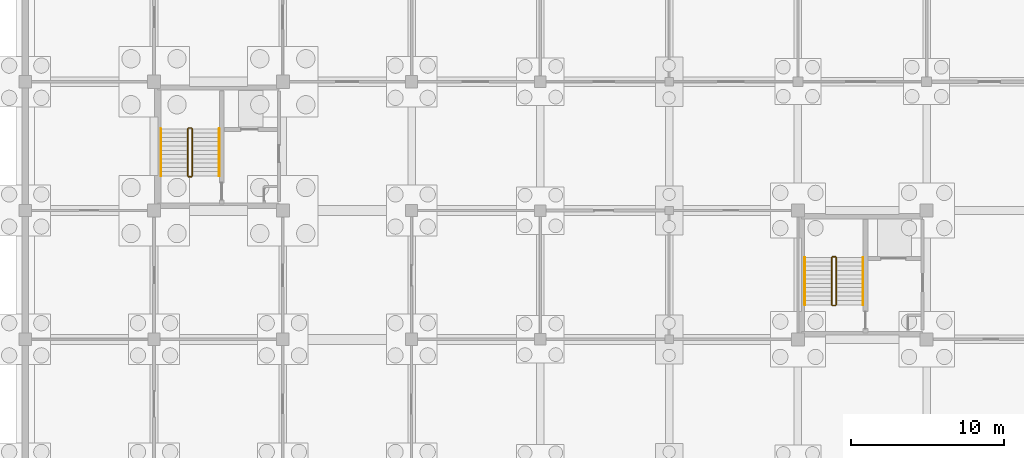
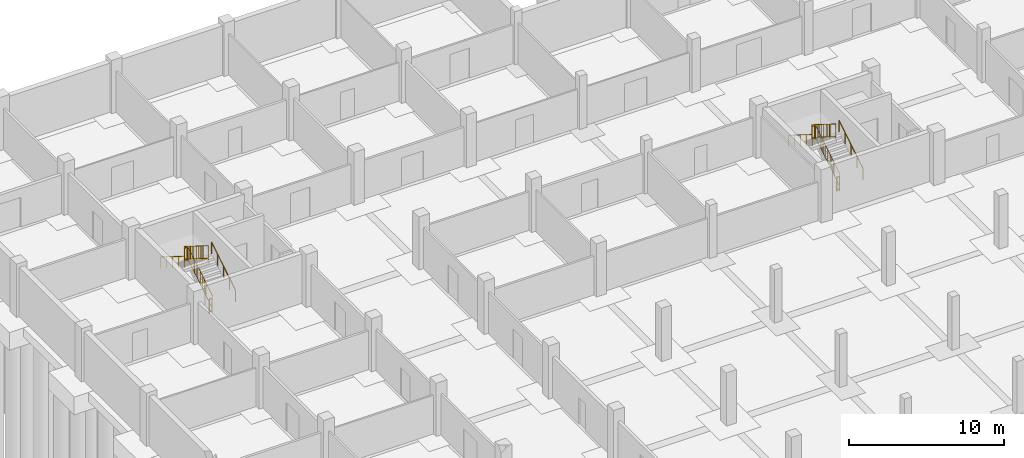
# One storey, part 40 of 43: 12 railings.
"""IFC4 building model written with IfcOpenShell, lengths in metres."""

import ifcopenshell
import ifcopenshell.guid

model = None  # the IFC model being written
_history = None  # IfcOwnerHistory: only IFC2X3 demands one
_inside = {}  # id of a spatial element -> (the spatial element, [elements in it])
_under = {}  # id of a project, library or spatial element -> (it, [spatial elements below it])
_declared = {}  # id of a project -> (the project, [libraries it declares])
_typed = {}  # id of a type object -> (the type object, [elements of that type])
_made_of = {}  # id of a material, layer set ... -> (it, [elements and type objects made of it])


def new_model(schema):
    """Start an empty IFC model of exactly this schema.

    Asked for "IFC4X3", IfcOpenShell would pick the latest addendum, in which some entities
    have other attributes; the version numbers below select the first issue.
    IFC2X3 requires an IfcOwnerHistory on every rooted entity: one is made here for all.
    """
    global model, _history
    if schema == "IFC4X3":
        model = ifcopenshell.file(schema_version=(4, 3, 0, 0))
    else:
        model = ifcopenshell.file(schema=schema)
    _inside.clear()
    _under.clear()
    _declared.clear()
    _typed.clear()
    _made_of.clear()
    _history = None
    if model.schema == "IFC2X3":
        org = make("IfcOrganization", Name="unknown")
        user = make(
            "IfcPersonAndOrganization",
            ThePerson=make("IfcPerson", FamilyName="unknown"),
            TheOrganization=org,
        )
        app = make(
            "IfcApplication",
            ApplicationDeveloper=org,
            Version="unknown",
            ApplicationFullName="unknown",
            ApplicationIdentifier="unknown",
        )
        _history = make(
            "IfcOwnerHistory",
            OwningUser=user,
            OwningApplication=app,
            ChangeAction="ADDED",
            CreationDate=0,
        )
    return model


def make(cls, **values):
    """One entity of the class cls with the attributes given. An attribute that is None is left unset."""
    return model.create_entity(
        cls, **{name: value for name, value in values.items() if value is not None}
    )


def rooted(cls, **values):
    """An entity with a GlobalId (a new one), such as an element, a storey or a relation."""
    return make(cls, GlobalId=ifcopenshell.guid.new(), OwnerHistory=_history, **values)


def si_unit(unit_type, name, prefix=None):
    """IfcSIUnit, for example si_unit("LENGTHUNIT", "METRE", prefix="MILLI")."""
    return make("IfcSIUnit", UnitType=unit_type, Prefix=prefix, Name=name)


def assignment(units):
    """IfcUnitAssignment: the units of a project."""
    return None if units is None else make("IfcUnitAssignment", Units=units)


def point(xyz):
    """IfcCartesianPoint."""
    return None if xyz is None else make("IfcCartesianPoint", Coordinates=xyz)


def direction(xyz):
    """IfcDirection."""
    return None if xyz is None else make("IfcDirection", DirectionRatios=xyz)


def frame(location, z_axis=None, x_axis=None):
    """IfcAxis2Placement3D, a coordinate frame: its origin and axes. An axis left out is left unset."""
    return make(
        "IfcAxis2Placement3D",
        Location=point(location),
        Axis=direction(z_axis),
        RefDirection=direction(x_axis),
    )


def frame_2d(location, x_axis=None):
    """IfcAxis2Placement2D, a coordinate frame in the plane: its origin and x axis."""
    return make(
        "IfcAxis2Placement2D", Location=point(location), RefDirection=direction(x_axis)
    )


def origin():
    """The frame at (0, 0, 0) with its axes left unset."""
    return frame((0.0, 0.0, 0.0))


def origin_2d():
    """The frame at (0, 0) in the plane with its x axis left unset."""
    return frame_2d((0.0, 0.0))


def place(relative_to, where):
    """IfcLocalPlacement: puts the frame where relative to a parent placement (None: the world)."""
    return make(
        "IfcLocalPlacement", PlacementRelTo=relative_to, RelativePlacement=where
    )


def context(
    kind, dimensions, precision=None, world=None, true_north=None, identifier=None
):
    """IfcGeometricRepresentationContext, for example the 3D "Model" context."""
    return make(
        "IfcGeometricRepresentationContext",
        ContextIdentifier=identifier,
        ContextType=kind,
        CoordinateSpaceDimension=dimensions,
        Precision=precision,
        WorldCoordinateSystem=world,
        TrueNorth=true_north,
    )


def subcontext(parent, identifier, kind, view, scale=None):
    """IfcGeometricRepresentationSubContext, for example "Body" below "Model"."""
    return make(
        "IfcGeometricRepresentationSubContext",
        ContextIdentifier=identifier,
        ContextType=kind,
        ParentContext=parent,
        TargetScale=scale,
        TargetView=view,
    )


def project(units=None, contexts=None):
    """IfcProject with its units and contexts."""
    return rooted(
        "IfcProject",
        Name="project",
        RepresentationContexts=contexts,
        UnitsInContext=assignment(units),
    )


def spatial(cls, under=None, at=None, **own):
    """A site, building, storey or space (cls), placed at a placement, below another one or the project."""
    s = rooted(cls, ObjectPlacement=at, **own)
    if under is not None:
        _under.setdefault(under.id(), (under, []))[1].append(s)
    return s


def profile(cls, at=None, kind="AREA", **sizes):
    """A parametric profile (cls). Its sizes go by their IFC names, for example OverallWidth=200.0."""
    return make(cls, ProfileType=kind, Position=at, **sizes)


def circle(**sizes):
    """IfcCircleProfileDef."""
    return profile("IfcCircleProfileDef", **sizes)


def extrude(swept, where, along, depth):
    """IfcExtrudedAreaSolid: the profile swept, set in the frame where, extruded along a direction by depth."""
    return make(
        "IfcExtrudedAreaSolid",
        SweptArea=swept,
        Position=where,
        ExtrudedDirection=direction(along),
        Depth=depth,
    )


def shape(context_of_items, identifier, shape_type, items):
    """IfcShapeRepresentation: the items that make up one representation, for example the "Body"."""
    return make(
        "IfcShapeRepresentation",
        ContextOfItems=context_of_items,
        RepresentationIdentifier=identifier,
        RepresentationType=shape_type,
        Items=items,
    )


def material(Name=None, Category=None):
    """IfcMaterial."""
    return make("IfcMaterial", Name=Name, Category=Category)


def made_of(thing, what):
    """Note that an element or type object is made of a material, layer set ...; save() writes the relation."""
    if what is not None:
        _made_of.setdefault(what.id(), (what, []))[1].append(thing)
    return thing


def type_object(cls, material=None, **own):
    """A type object (cls), such as IfcWallType, which elements share."""
    return made_of(rooted(cls, **own), material)


def element(
    cls,
    number,
    at=None,
    inside=None,
    cuts=None,
    type_object=None,
    material=None,
    context=None,
    identifier="Body",
    shape_type=None,
    held_by="IfcProductDefinitionShape",
    body=None,
    shapes=None,
    **own,
):
    """One element of the class cls, such as IfcWall. Its Tag is "e" and its number.

    at: its placement. inside: the storey or other place that contains it. cuts: it is an
    opening in that element (IfcRelVoidsElement). A single representation is given by context,
    identifier, shape_type and body (its items); several are given by shapes. held_by: the class
    of the entity that holds the representations. save() writes the other relations.
    """
    e = rooted(cls, Tag="e%d" % number, ObjectPlacement=at, **own)
    if body is not None:
        shapes = [shape(context, identifier, shape_type, body)]
    if shapes is not None:
        e.Representation = make(held_by, Representations=shapes)
    if inside is not None:
        _inside.setdefault(inside.id(), (inside, []))[1].append(e)
    if cuts is not None:
        rooted(
            "IfcRelVoidsElement", RelatingBuildingElement=cuts, RelatedOpeningElement=e
        )
    if type_object is not None:
        _typed.setdefault(type_object.id(), (type_object, []))[1].append(e)
    return made_of(e, material)


def aggregate(whole, parts):
    """IfcRelAggregates: a whole, such as a stair, and the parts it consists of."""
    return rooted("IfcRelAggregates", RelatingObject=whole, RelatedObjects=parts)


def save(model, path):
    """Write the relations noted so far, then the file.

    IfcRelAggregates (storeys below a building ...), IfcRelContainedInSpatialStructure (elements
    in a storey), IfcRelDefinesByType, IfcRelAssociatesMaterial and IfcRelDeclares: one each for
    every whole, place, type object, material and project.
    """
    for whole, parts in _under.values():
        aggregate(whole, parts)
    for where, things in _inside.values():
        rooted(
            "IfcRelContainedInSpatialStructure",
            RelatedElements=things,
            RelatingStructure=where,
        )
    for kind, things in _typed.values():
        rooted("IfcRelDefinesByType", RelatedObjects=things, RelatingType=kind)
    for what, things in _made_of.values():
        rooted("IfcRelAssociatesMaterial", RelatedObjects=things, RelatingMaterial=what)
    for by, libraries in _declared.values():
        rooted("IfcRelDeclares", RelatingContext=by, RelatedDefinitions=libraries)
    model.write(path)


model = new_model("IFC4")

# Units and contexts
model_context = context("Model", 3, precision=1e-05, world=origin(), true_north=direction((0.0, 1.0)))
body_context = subcontext(model_context, "Body", "Model", "MODEL_VIEW")
ifc_project = project(units=[si_unit("LENGTHUNIT", "METRE"), si_unit("AREAUNIT", "SQUARE_METRE"), si_unit("VOLUMEUNIT", "CUBIC_METRE"), si_unit("PLANEANGLEUNIT", "RADIAN"), si_unit("MASSUNIT", "GRAM", prefix="KILO")], contexts=[model_context])

# Site, building, storey
site_placement = place(None, origin())
site = spatial("IfcSite", under=ifc_project, at=site_placement, CompositionType="ELEMENT")
building_placement = place(site_placement, origin())
building = spatial("IfcBuilding", under=site, at=building_placement, Name="Varnapada Polytechnic", CompositionType="ELEMENT")
storey_placement = place(building_placement, frame((0.0, 0.0, -4.199951171875)))
storey = spatial("IfcBuildingStorey", under=building, at=storey_placement, Name="B1", CompositionType="ELEMENT", Elevation=-4.199951171875)

# Railings
ifc_material = material(Name="Brushed Stainless Steel 316", Category="steel")
railing_type_1 = type_object("IfcRailingType", Name="Stair Wall Handrail SHR-01", PredefinedType="HANDRAIL", material=ifc_material)
railing_1_placement = place(storey_placement, frame((12.64990234375, 103.050048828125, 0.175048828125)))
element("IfcRailing", 1, at=railing_1_placement, inside=storey, type_object=railing_type_1, Name="B1 ST-1 stair handrail 1", PredefinedType="HANDRAIL", context=body_context, shape_type="SweptSolid", body=[
    extrude(circle(Radius=0.02392578125, at=origin_2d()), frame((0.0, 0.0, 0.8759765625), z_axis=(0.0, 0.848009633417, 0.529980812513), x_axis=(-1.0, 0.0, 0.0)), (0.0, 0.0, 1.0), 3.6318359375),
    extrude(circle(Radius=0.02099609375, at=origin_2d()), origin(), (0.0, 0.0, 1.0), 0.851806640625),
    extrude(circle(Radius=0.02099609375, at=origin_2d()), frame((0.0, 0.77001953125, 0.481201171875)), (0.0, 0.0, 1.0), 0.851806640625),
    extrude(circle(Radius=0.02099609375, at=origin_2d()), frame((0.0, 1.5400390625, 0.96240234375)), (0.0, 0.0, 1.0), 0.851806640625),
    extrude(circle(Radius=0.02099609375, at=origin_2d()), frame((0.0, 2.309814453125, 1.443603515625)), (0.0, 0.0, 1.0), 0.851806640625),
    extrude(circle(Radius=0.02099609375, at=origin_2d()), frame((0.0, 3.079833984375, 1.9248046875)), (0.0, 0.0, 1.0), 0.851806640625),
])
railing_2_placement = place(storey_placement, frame((8.85009765625, 106.1298828125, 2.27490234375)))
element("IfcRailing", 2, at=railing_2_placement, inside=storey, type_object=railing_type_1, Name="B1 ST-1 stair handrail 2", PredefinedType="HANDRAIL", context=body_context, shape_type="SweptSolid", body=[
    extrude(circle(Radius=0.02392578125, at=origin_2d()), frame((0.0, 0.0, 0.8759765625), z_axis=(0.0, -0.847979421464, 0.530029150871), x_axis=(1.0, 0.0, 0.0)), (0.0, 0.0, 1.0), 3.632080078125),
    extrude(circle(Radius=0.02099609375, at=origin_2d()), origin(), (0.0, 0.0, 1.0), 0.851806640625),
    extrude(circle(Radius=0.02099609375, at=origin_2d()), frame((0.0, -0.77001953125, 0.481201171875)), (0.0, 0.0, 1.0), 0.851806640625),
    extrude(circle(Radius=0.02099609375, at=origin_2d()), frame((0.0, -1.5400390625, 0.96240234375)), (0.0, 0.0, 1.0), 0.851806640625),
    extrude(circle(Radius=0.02099609375, at=origin_2d()), frame((0.0, -2.309814453125, 1.44384765625)), (0.0, 0.0, 1.0), 0.851806640625),
    extrude(circle(Radius=0.02099609375, at=origin_2d()), frame((0.0, -3.079833984375, 1.925048828125)), (0.0, 0.0, 1.0), 0.851806640625),
])
railing_3_placement = place(storey_placement, frame((54.64990234375, 94.64990234375, 0.175048828125)))
element("IfcRailing", 3, at=railing_3_placement, inside=storey, type_object=railing_type_1, Name="B1 ST-4 stair handrail 1", PredefinedType="HANDRAIL", context=body_context, shape_type="SweptSolid", body=[
    extrude(circle(Radius=0.02392578125, at=origin_2d()), frame((0.0, 0.0, 0.8759765625), z_axis=(0.0, 0.848028513186, 0.529950602248), x_axis=(-1.0, 0.0, 0.0)), (0.0, 0.0, 1.0), 3.632080078125),
    extrude(circle(Radius=0.02099609375, at=origin_2d()), origin(), (0.0, 0.0, 1.0), 0.851806640625),
    extrude(circle(Radius=0.02099609375, at=origin_2d()), frame((0.0, 0.77001953125, 0.481201171875)), (0.0, 0.0, 1.0), 0.851806640625),
    extrude(circle(Radius=0.02099609375, at=origin_2d()), frame((0.0, 1.5400390625, 0.96240234375)), (0.0, 0.0, 1.0), 0.851806640625),
    extrude(circle(Radius=0.02099609375, at=origin_2d()), frame((0.0, 2.31005859375, 1.443603515625)), (0.0, 0.0, 1.0), 0.851806640625),
    extrude(circle(Radius=0.02099609375, at=origin_2d()), frame((0.0, 3.080078125, 1.9248046875)), (0.0, 0.0, 1.0), 0.851806640625),
])
railing_4_placement = place(storey_placement, frame((50.85009765625, 97.72998046875, 2.27490234375)))
element("IfcRailing", 4, at=railing_4_placement, inside=storey, type_object=railing_type_1, Name="B1 ST-4 stair handrail 2", PredefinedType="HANDRAIL", context=body_context, shape_type="SweptSolid", body=[
    extrude(circle(Radius=0.02392578125, at=origin_2d()), frame((0.0, 0.0, 0.8759765625), z_axis=(0.0, -0.847998304005, 0.529998940003), x_axis=(1.0, 0.0, 0.0)), (0.0, 0.0, 1.0), 3.632080078125),
    extrude(circle(Radius=0.02099609375, at=origin_2d()), origin(), (0.0, 0.0, 1.0), 0.851806640625),
    extrude(circle(Radius=0.02099609375, at=origin_2d()), frame((0.0, -0.77001953125, 0.481201171875)), (0.0, 0.0, 1.0), 0.851806640625),
    extrude(circle(Radius=0.02099609375, at=origin_2d()), frame((0.0, -1.5400390625, 0.96240234375)), (0.0, 0.0, 1.0), 0.851806640625),
    extrude(circle(Radius=0.02099609375, at=origin_2d()), frame((0.0, -2.31005859375, 1.44384765625)), (0.0, 0.0, 1.0), 0.851806640625),
    extrude(circle(Radius=0.02099609375, at=origin_2d()), frame((0.0, -3.080078125, 1.925048828125)), (0.0, 0.0, 1.0), 0.851806640625),
])
railing_type_2 = type_object("IfcRailingType", Name="Stair Well Guard Rail SGR-01", PredefinedType="BALUSTRADE", material=ifc_material)
railing_5_placement = place(storey_placement, frame((10.89990234375, 103.050048828125, 0.175048828125)))
element("IfcRailing", 5, at=railing_5_placement, inside=storey, type_object=railing_type_2, Name="B1 ST-1 stair guard 1", PredefinedType="BALUSTRADE", context=body_context, shape_type="SweptSolid", body=[
    extrude(circle(Radius=0.02392578125, at=origin_2d()), frame((0.0, 0.0, 1.09619140625), z_axis=(0.0, 0.848009633417, 0.529980812513), x_axis=(-1.0, 0.0, 0.0)), (0.0, 0.0, 1.0), 3.6318359375),
    extrude(circle(Radius=0.02392578125, at=origin_2d()), frame((0.0, 0.0, 0.10009765625), z_axis=(0.0, 0.848009633417, 0.529980812513), x_axis=(-1.0, 0.0, 0.0)), (0.0, 0.0, 1.0), 3.6318359375),
    extrude(circle(Radius=0.02099609375, at=origin_2d()), origin(), (0.0, 0.0, 1.0), 1.072021484375),
    extrude(circle(Radius=0.02099609375, at=origin_2d()), frame((0.0, 0.77001953125, 0.481201171875)), (0.0, 0.0, 1.0), 1.072021484375),
    extrude(circle(Radius=0.02099609375, at=origin_2d()), frame((0.0, 1.5400390625, 0.96240234375)), (0.0, 0.0, 1.0), 1.072021484375),
    extrude(circle(Radius=0.02099609375, at=origin_2d()), frame((0.0, 2.309814453125, 1.443603515625)), (0.0, 0.0, 1.0), 1.072021484375),
    extrude(circle(Radius=0.02099609375, at=origin_2d()), frame((0.0, 3.079833984375, 1.9248046875)), (0.0, 0.0, 1.0), 1.072021484375),
    extrude(circle(Radius=0.010009765625, at=origin_2d()), frame((0.0, 0.205322265625, 0.228515625)), (0.0, 0.0, 1.0), 0.971923828125),
    extrude(circle(Radius=0.010009765625, at=origin_2d()), frame((0.0, 0.41064453125, 0.356689453125)), (0.0, 0.0, 1.0), 0.971923828125),
    extrude(circle(Radius=0.010009765625, at=origin_2d()), frame((0.0, 0.615966796875, 0.485107421875)), (0.0, 0.0, 1.0), 0.971923828125),
    extrude(circle(Radius=0.010009765625, at=origin_2d()), frame((0.0, 0.8212890625, 0.61328125)), (0.0, 0.0, 1.0), 0.971923828125),
    extrude(circle(Radius=0.010009765625, at=origin_2d()), frame((0.0, 1.026611328125, 0.74169921875)), (0.0, 0.0, 1.0), 0.971923828125),
    extrude(circle(Radius=0.010009765625, at=origin_2d()), frame((0.0, 1.23193359375, 0.8701171875)), (0.0, 0.0, 1.0), 0.971923828125),
    extrude(circle(Radius=0.010009765625, at=origin_2d()), frame((0.0, 1.437255859375, 0.998291015625)), (0.0, 0.0, 1.0), 0.971923828125),
    extrude(circle(Radius=0.010009765625, at=origin_2d()), frame((0.0, 1.642578125, 1.126708984375)), (0.0, 0.0, 1.0), 0.971923828125),
    extrude(circle(Radius=0.010009765625, at=origin_2d()), frame((0.0, 1.847900390625, 1.2548828125)), (0.0, 0.0, 1.0), 0.971923828125),
    extrude(circle(Radius=0.010009765625, at=origin_2d()), frame((0.0, 2.05322265625, 1.38330078125)), (0.0, 0.0, 1.0), 0.971923828125),
    extrude(circle(Radius=0.010009765625, at=origin_2d()), frame((0.0, 2.258544921875, 1.51171875)), (0.0, 0.0, 1.0), 0.971923828125),
    extrude(circle(Radius=0.010009765625, at=origin_2d()), frame((0.0, 2.4638671875, 1.639892578125)), (0.0, 0.0, 1.0), 0.971923828125),
    extrude(circle(Radius=0.010009765625, at=origin_2d()), frame((0.0, 2.669189453125, 1.768310546875)), (0.0, 0.0, 1.0), 0.971923828125),
    extrude(circle(Radius=0.010009765625, at=origin_2d()), frame((0.0, 2.87451171875, 1.896484375)), (0.0, 0.0, 1.0), 0.971923828125),
])
railing_6_placement = place(storey_placement, frame((10.85009765625, 106.179931640625, 2.099853515625)))
element("IfcRailing", 6, at=railing_6_placement, inside=storey, type_object=railing_type_2, Name="B1 ST-1 stair guard 2", PredefinedType="BALUSTRADE", context=body_context, shape_type="SweptSolid", body=[
    extrude(circle(Radius=0.02392578125, at=origin_2d()), frame((0.0, 0.0, 1.09619140625), z_axis=(-1.0, 0.0, 0.0), x_axis=(0.0, -1.0, 0.0)), (0.0, 0.0, 1.0), 0.2001953125),
    extrude(circle(Radius=0.02392578125, at=origin_2d()), frame((0.0, 0.0, 0.10009765625), z_axis=(-1.0, 0.0, 0.0), x_axis=(0.0, -1.0, 0.0)), (0.0, 0.0, 1.0), 0.2001953125),
    extrude(circle(Radius=0.02099609375, at=origin_2d()), origin(), (0.0, 0.0, 1.0), 1.072021484375),
    extrude(circle(Radius=0.02099609375, at=origin_2d()), frame((-0.2001953125, 0.0, 0.0)), (0.0, 0.0, 1.0), 1.072021484375),
])
railing_7_placement = place(storey_placement, frame((10.60009765625, 106.1298828125, 2.27490234375)))
element("IfcRailing", 7, at=railing_7_placement, inside=storey, type_object=railing_type_2, Name="B1 ST-1 stair guard 3", PredefinedType="BALUSTRADE", context=body_context, shape_type="SweptSolid", body=[
    extrude(circle(Radius=0.02392578125, at=origin_2d()), frame((0.0, 0.0, 1.09619140625), z_axis=(0.0, -0.847979421464, 0.530029150871), x_axis=(1.0, 0.0, 0.0)), (0.0, 0.0, 1.0), 3.632080078125),
    extrude(circle(Radius=0.02392578125, at=origin_2d()), frame((0.0, 0.0, 0.10009765625), z_axis=(0.0, -0.847979421464, 0.530029150871), x_axis=(1.0, 0.0, 0.0)), (0.0, 0.0, 1.0), 3.632080078125),
    extrude(circle(Radius=0.02099609375, at=origin_2d()), origin(), (0.0, 0.0, 1.0), 1.072021484375),
    extrude(circle(Radius=0.02099609375, at=origin_2d()), frame((0.0, -0.77001953125, 0.481201171875)), (0.0, 0.0, 1.0), 1.072021484375),
    extrude(circle(Radius=0.02099609375, at=origin_2d()), frame((0.0, -1.5400390625, 0.96240234375)), (0.0, 0.0, 1.0), 1.072021484375),
    extrude(circle(Radius=0.02099609375, at=origin_2d()), frame((0.0, -2.309814453125, 1.44384765625)), (0.0, 0.0, 1.0), 1.072021484375),
    extrude(circle(Radius=0.02099609375, at=origin_2d()), frame((0.0, -3.079833984375, 1.925048828125)), (0.0, 0.0, 1.0), 1.072021484375),
    extrude(circle(Radius=0.010009765625, at=origin_2d()), frame((0.0, -0.205322265625, 0.228515625)), (0.0, 0.0, 1.0), 0.971923828125),
    extrude(circle(Radius=0.010009765625, at=origin_2d()), frame((0.0, -0.41064453125, 0.356689453125)), (0.0, 0.0, 1.0), 0.971923828125),
    extrude(circle(Radius=0.010009765625, at=origin_2d()), frame((0.0, -0.615966796875, 0.485107421875)), (0.0, 0.0, 1.0), 0.971923828125),
    extrude(circle(Radius=0.010009765625, at=origin_2d()), frame((0.0, -0.8212890625, 0.613525390625)), (0.0, 0.0, 1.0), 0.971923828125),
    extrude(circle(Radius=0.010009765625, at=origin_2d()), frame((0.0, -1.026611328125, 0.74169921875)), (0.0, 0.0, 1.0), 0.971923828125),
    extrude(circle(Radius=0.010009765625, at=origin_2d()), frame((0.0, -1.23193359375, 0.8701171875)), (0.0, 0.0, 1.0), 0.971923828125),
    extrude(circle(Radius=0.010009765625, at=origin_2d()), frame((0.0, -1.437255859375, 0.99853515625)), (0.0, 0.0, 1.0), 0.971923828125),
    extrude(circle(Radius=0.010009765625, at=origin_2d()), frame((0.0, -1.642578125, 1.126708984375)), (0.0, 0.0, 1.0), 0.971923828125),
    extrude(circle(Radius=0.010009765625, at=origin_2d()), frame((0.0, -1.847900390625, 1.255126953125)), (0.0, 0.0, 1.0), 0.971923828125),
    extrude(circle(Radius=0.010009765625, at=origin_2d()), frame((0.0, -2.05322265625, 1.383544921875)), (0.0, 0.0, 1.0), 0.971923828125),
    extrude(circle(Radius=0.010009765625, at=origin_2d()), frame((0.0, -2.258544921875, 1.51171875)), (0.0, 0.0, 1.0), 0.971923828125),
    extrude(circle(Radius=0.010009765625, at=origin_2d()), frame((0.0, -2.4638671875, 1.64013671875)), (0.0, 0.0, 1.0), 0.971923828125),
    extrude(circle(Radius=0.010009765625, at=origin_2d()), frame((0.0, -2.669189453125, 1.7685546875)), (0.0, 0.0, 1.0), 0.971923828125),
    extrude(circle(Radius=0.010009765625, at=origin_2d()), frame((0.0, -2.87451171875, 1.896728515625)), (0.0, 0.0, 1.0), 0.971923828125),
])
railing_8_placement = place(storey_placement, frame((10.85009765625, 103.0, 0.0)))
element("IfcRailing", 8, at=railing_8_placement, inside=storey, type_object=railing_type_2, Name="B1 ST-1 stair guard 4", PredefinedType="BALUSTRADE", context=body_context, shape_type="SweptSolid", body=[
    extrude(circle(Radius=0.02392578125, at=origin_2d()), frame((0.0, 0.0, 1.09619140625), z_axis=(-1.0, 0.0, 0.0), x_axis=(0.0, -1.0, 0.0)), (0.0, 0.0, 1.0), 0.2001953125),
    extrude(circle(Radius=0.02392578125, at=origin_2d()), frame((0.0, 0.0, 0.10009765625), z_axis=(-1.0, 0.0, 0.0), x_axis=(0.0, -1.0, 0.0)), (0.0, 0.0, 1.0), 0.2001953125),
    extrude(circle(Radius=0.02099609375, at=origin_2d()), origin(), (0.0, 0.0, 1.0), 1.072021484375),
    extrude(circle(Radius=0.02099609375, at=origin_2d()), frame((-0.2001953125, 0.0, 0.0)), (0.0, 0.0, 1.0), 1.072021484375),
])
railing_9_placement = place(storey_placement, frame((52.89990234375, 94.64990234375, 0.175048828125)))
element("IfcRailing", 9, at=railing_9_placement, inside=storey, type_object=railing_type_2, Name="B1 ST-4 stair guard 1", PredefinedType="BALUSTRADE", context=body_context, shape_type="SweptSolid", body=[
    extrude(circle(Radius=0.02392578125, at=origin_2d()), frame((0.0, 0.0, 1.09619140625), z_axis=(0.0, 0.848028513186, 0.529950602248), x_axis=(-1.0, 0.0, 0.0)), (0.0, 0.0, 1.0), 3.632080078125),
    extrude(circle(Radius=0.02392578125, at=origin_2d()), frame((0.0, 0.0, 0.10009765625), z_axis=(0.0, 0.848028513186, 0.529950602248), x_axis=(-1.0, 0.0, 0.0)), (0.0, 0.0, 1.0), 3.632080078125),
    extrude(circle(Radius=0.02099609375, at=origin_2d()), origin(), (0.0, 0.0, 1.0), 1.072021484375),
    extrude(circle(Radius=0.02099609375, at=origin_2d()), frame((0.0, 0.77001953125, 0.481201171875)), (0.0, 0.0, 1.0), 1.072021484375),
    extrude(circle(Radius=0.02099609375, at=origin_2d()), frame((0.0, 1.5400390625, 0.96240234375)), (0.0, 0.0, 1.0), 1.072021484375),
    extrude(circle(Radius=0.02099609375, at=origin_2d()), frame((0.0, 2.31005859375, 1.443603515625)), (0.0, 0.0, 1.0), 1.072021484375),
    extrude(circle(Radius=0.02099609375, at=origin_2d()), frame((0.0, 3.080078125, 1.9248046875)), (0.0, 0.0, 1.0), 1.072021484375),
    extrude(circle(Radius=0.010009765625, at=origin_2d()), frame((0.0, 0.205322265625, 0.228515625)), (0.0, 0.0, 1.0), 0.971923828125),
    extrude(circle(Radius=0.010009765625, at=origin_2d()), frame((0.0, 0.41064453125, 0.356689453125)), (0.0, 0.0, 1.0), 0.971923828125),
    extrude(circle(Radius=0.010009765625, at=origin_2d()), frame((0.0, 0.615966796875, 0.485107421875)), (0.0, 0.0, 1.0), 0.971923828125),
    extrude(circle(Radius=0.010009765625, at=origin_2d()), frame((0.0, 0.8212890625, 0.61328125)), (0.0, 0.0, 1.0), 0.971923828125),
    extrude(circle(Radius=0.010009765625, at=origin_2d()), frame((0.0, 1.026611328125, 0.74169921875)), (0.0, 0.0, 1.0), 0.971923828125),
    extrude(circle(Radius=0.010009765625, at=origin_2d()), frame((0.0, 1.23193359375, 0.8701171875)), (0.0, 0.0, 1.0), 0.971923828125),
    extrude(circle(Radius=0.010009765625, at=origin_2d()), frame((0.0, 1.437255859375, 0.998291015625)), (0.0, 0.0, 1.0), 0.971923828125),
    extrude(circle(Radius=0.010009765625, at=origin_2d()), frame((0.0, 1.642822265625, 1.126708984375)), (0.0, 0.0, 1.0), 0.971923828125),
    extrude(circle(Radius=0.010009765625, at=origin_2d()), frame((0.0, 1.84814453125, 1.2548828125)), (0.0, 0.0, 1.0), 0.971923828125),
    extrude(circle(Radius=0.010009765625, at=origin_2d()), frame((0.0, 2.053466796875, 1.38330078125)), (0.0, 0.0, 1.0), 0.971923828125),
    extrude(circle(Radius=0.010009765625, at=origin_2d()), frame((0.0, 2.2587890625, 1.51171875)), (0.0, 0.0, 1.0), 0.971923828125),
    extrude(circle(Radius=0.010009765625, at=origin_2d()), frame((0.0, 2.464111328125, 1.639892578125)), (0.0, 0.0, 1.0), 0.971923828125),
    extrude(circle(Radius=0.010009765625, at=origin_2d()), frame((0.0, 2.66943359375, 1.768310546875)), (0.0, 0.0, 1.0), 0.971923828125),
    extrude(circle(Radius=0.010009765625, at=origin_2d()), frame((0.0, 2.874755859375, 1.896484375)), (0.0, 0.0, 1.0), 0.971923828125),
])
railing_10_placement = place(storey_placement, frame((52.85009765625, 97.780029296875, 2.099853515625)))
element("IfcRailing", 10, at=railing_10_placement, inside=storey, type_object=railing_type_2, Name="B1 ST-4 stair guard 2", PredefinedType="BALUSTRADE", context=body_context, shape_type="SweptSolid", body=[
    extrude(circle(Radius=0.02392578125, at=origin_2d()), frame((0.0, 0.0, 1.09619140625), z_axis=(-1.0, 0.0, 0.0), x_axis=(0.0, -1.0, 0.0)), (0.0, 0.0, 1.0), 0.2001953125),
    extrude(circle(Radius=0.02392578125, at=origin_2d()), frame((0.0, 0.0, 0.10009765625), z_axis=(-1.0, 0.0, 0.0), x_axis=(0.0, -1.0, 0.0)), (0.0, 0.0, 1.0), 0.2001953125),
    extrude(circle(Radius=0.02099609375, at=origin_2d()), origin(), (0.0, 0.0, 1.0), 1.072021484375),
    extrude(circle(Radius=0.02099609375, at=origin_2d()), frame((-0.2001953125, 0.0, 0.0)), (0.0, 0.0, 1.0), 1.072021484375),
])
railing_11_placement = place(storey_placement, frame((52.60009765625, 97.72998046875, 2.27490234375)))
element("IfcRailing", 11, at=railing_11_placement, inside=storey, type_object=railing_type_2, Name="B1 ST-4 stair guard 3", PredefinedType="BALUSTRADE", context=body_context, shape_type="SweptSolid", body=[
    extrude(circle(Radius=0.02392578125, at=origin_2d()), frame((0.0, 0.0, 1.09619140625), z_axis=(0.0, -0.847998304005, 0.529998940003), x_axis=(1.0, 0.0, 0.0)), (0.0, 0.0, 1.0), 3.632080078125),
    extrude(circle(Radius=0.02392578125, at=origin_2d()), frame((0.0, 0.0, 0.10009765625), z_axis=(0.0, -0.847998304005, 0.529998940003), x_axis=(1.0, 0.0, 0.0)), (0.0, 0.0, 1.0), 3.632080078125),
    extrude(circle(Radius=0.02099609375, at=origin_2d()), origin(), (0.0, 0.0, 1.0), 1.072021484375),
    extrude(circle(Radius=0.02099609375, at=origin_2d()), frame((0.0, -0.77001953125, 0.481201171875)), (0.0, 0.0, 1.0), 1.072021484375),
    extrude(circle(Radius=0.02099609375, at=origin_2d()), frame((0.0, -1.5400390625, 0.96240234375)), (0.0, 0.0, 1.0), 1.072021484375),
    extrude(circle(Radius=0.02099609375, at=origin_2d()), frame((0.0, -2.31005859375, 1.44384765625)), (0.0, 0.0, 1.0), 1.072021484375),
    extrude(circle(Radius=0.02099609375, at=origin_2d()), frame((0.0, -3.080078125, 1.925048828125)), (0.0, 0.0, 1.0), 1.072021484375),
    extrude(circle(Radius=0.010009765625, at=origin_2d()), frame((0.0, -0.205322265625, 0.228515625)), (0.0, 0.0, 1.0), 0.971923828125),
    extrude(circle(Radius=0.010009765625, at=origin_2d()), frame((0.0, -0.41064453125, 0.356689453125)), (0.0, 0.0, 1.0), 0.971923828125),
    extrude(circle(Radius=0.010009765625, at=origin_2d()), frame((0.0, -0.615966796875, 0.485107421875)), (0.0, 0.0, 1.0), 0.971923828125),
    extrude(circle(Radius=0.010009765625, at=origin_2d()), frame((0.0, -0.8212890625, 0.613525390625)), (0.0, 0.0, 1.0), 0.971923828125),
    extrude(circle(Radius=0.010009765625, at=origin_2d()), frame((0.0, -1.026611328125, 0.74169921875)), (0.0, 0.0, 1.0), 0.971923828125),
    extrude(circle(Radius=0.010009765625, at=origin_2d()), frame((0.0, -1.23193359375, 0.8701171875)), (0.0, 0.0, 1.0), 0.971923828125),
    extrude(circle(Radius=0.010009765625, at=origin_2d()), frame((0.0, -1.437255859375, 0.99853515625)), (0.0, 0.0, 1.0), 0.971923828125),
    extrude(circle(Radius=0.010009765625, at=origin_2d()), frame((0.0, -1.642822265625, 1.126708984375)), (0.0, 0.0, 1.0), 0.971923828125),
    extrude(circle(Radius=0.010009765625, at=origin_2d()), frame((0.0, -1.84814453125, 1.255126953125)), (0.0, 0.0, 1.0), 0.971923828125),
    extrude(circle(Radius=0.010009765625, at=origin_2d()), frame((0.0, -2.053466796875, 1.383544921875)), (0.0, 0.0, 1.0), 0.971923828125),
    extrude(circle(Radius=0.010009765625, at=origin_2d()), frame((0.0, -2.2587890625, 1.51171875)), (0.0, 0.0, 1.0), 0.971923828125),
    extrude(circle(Radius=0.010009765625, at=origin_2d()), frame((0.0, -2.464111328125, 1.64013671875)), (0.0, 0.0, 1.0), 0.971923828125),
    extrude(circle(Radius=0.010009765625, at=origin_2d()), frame((0.0, -2.66943359375, 1.7685546875)), (0.0, 0.0, 1.0), 0.971923828125),
    extrude(circle(Radius=0.010009765625, at=origin_2d()), frame((0.0, -2.874755859375, 1.896728515625)), (0.0, 0.0, 1.0), 0.971923828125),
])
railing_12_placement = place(storey_placement, frame((52.85009765625, 94.60009765625, 0.0)))
element("IfcRailing", 12, at=railing_12_placement, inside=storey, type_object=railing_type_2, Name="B1 ST-4 stair guard 4", PredefinedType="BALUSTRADE", context=body_context, shape_type="SweptSolid", body=[
    extrude(circle(Radius=0.02392578125, at=origin_2d()), frame((0.0, 0.0, 1.09619140625), z_axis=(-1.0, 0.0, 0.0), x_axis=(0.0, -1.0, 0.0)), (0.0, 0.0, 1.0), 0.2001953125),
    extrude(circle(Radius=0.02392578125, at=origin_2d()), frame((0.0, 0.0, 0.10009765625), z_axis=(-1.0, 0.0, 0.0), x_axis=(0.0, -1.0, 0.0)), (0.0, 0.0, 1.0), 0.2001953125),
    extrude(circle(Radius=0.02099609375, at=origin_2d()), origin(), (0.0, 0.0, 1.0), 1.072021484375),
    extrude(circle(Radius=0.02099609375, at=origin_2d()), frame((-0.2001953125, 0.0, 0.0)), (0.0, 0.0, 1.0), 1.072021484375),
])

save(model, "model.ifc")
